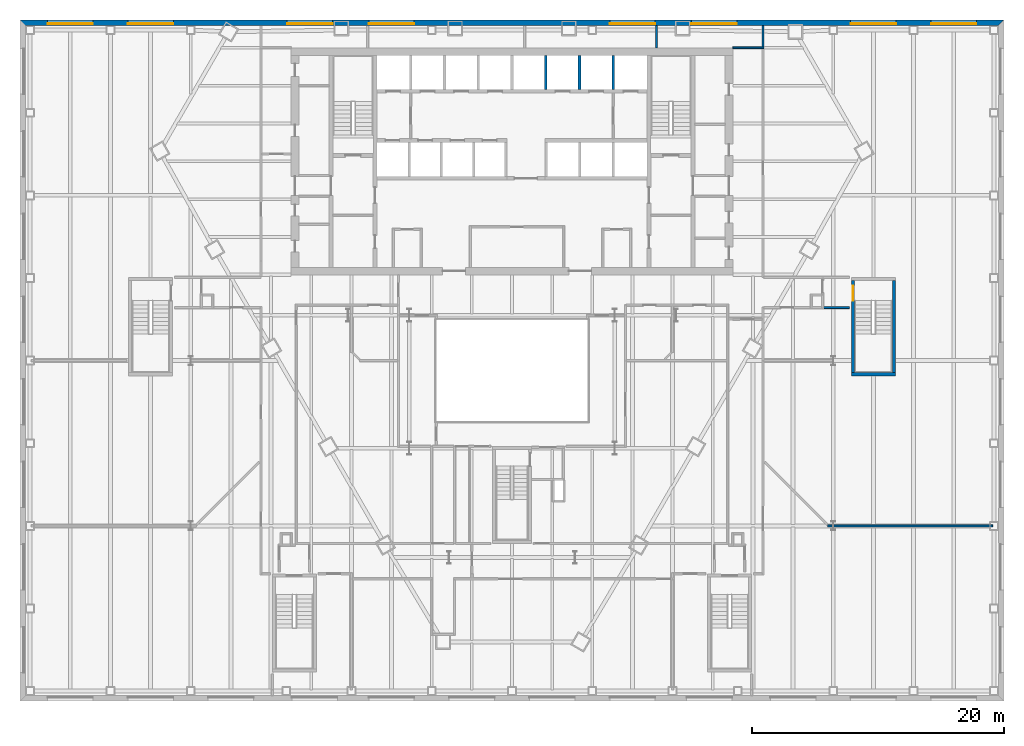
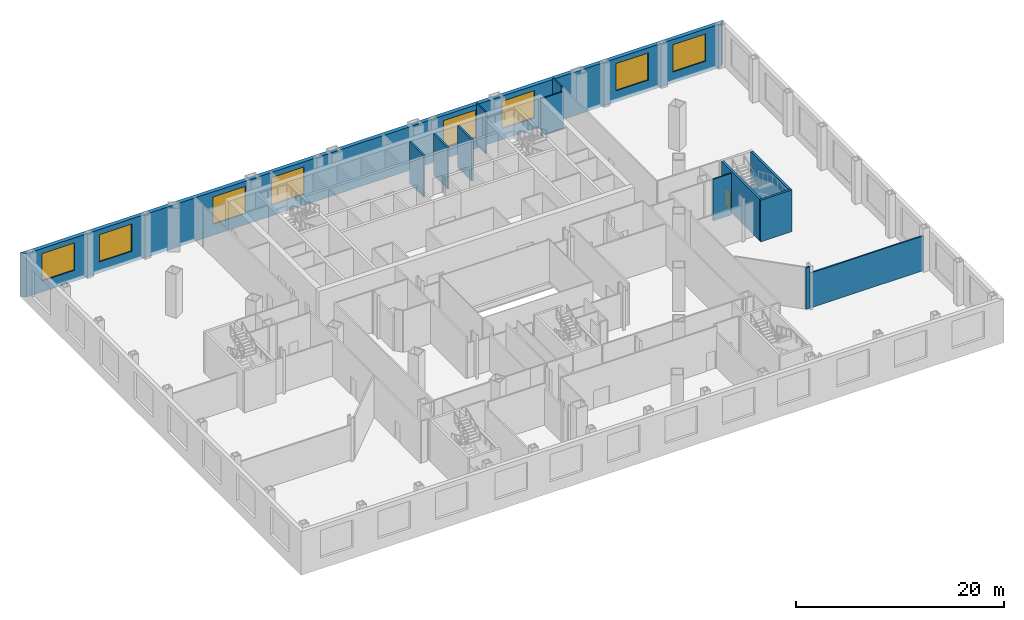
# One storey, part 14 of 21: 13 walls, 8 windows, 1 door, 9 openings.
"""IFC4 building model written with IfcOpenShell, lengths in metres."""

from ifc_helpers import new_model, si_unit, direction, frame, frame_2d, origin, place, context, subcontext, project, spatial, polyline, rectangle, outline, extrude, material, layer, layer_set, type_object, element, fill, save


model = new_model("IFC4")

# Units and contexts
model_context = context("Model", 3, precision=1e-05, world=origin(), true_north=direction((0.0, 1.0)))
body_context = subcontext(model_context, "Body", "Model", "MODEL_VIEW")
ifc_project = project(units=[si_unit("LENGTHUNIT", "METRE"), si_unit("AREAUNIT", "SQUARE_METRE"), si_unit("VOLUMEUNIT", "CUBIC_METRE"), si_unit("PLANEANGLEUNIT", "RADIAN"), si_unit("MASSUNIT", "GRAM", prefix="KILO")], contexts=[model_context])

# Site, building, storey
site_placement = place(None, origin())
site = spatial("IfcSite", under=ifc_project, at=site_placement, CompositionType="ELEMENT")
building_placement = place(site_placement, origin())
building = spatial("IfcBuilding", under=site, at=building_placement, Name="Njiva Tower", CompositionType="ELEMENT")
storey_placement = place(building_placement, frame((0.0, 0.0, 8.4)))
storey = spatial("IfcBuildingStorey", under=building, at=storey_placement, Name="L01", CompositionType="ELEMENT", Elevation=8.4)

# Walls
ifc_material_1 = material(Name="Gypsum board on steel studs", Category="gypsum")
ifc_layer_1 = layer(ifc_material_1, 0.15)
ifc_layer_set_1 = layer_set([ifc_layer_1], Name="Gypsum board on steel studs")
wall_type_1 = type_object("IfcWallType", Name="WT21 Compartment wall 150", PredefinedType="PARTITIONING", material=ifc_layer_set_1)
wall_1_placement = place(storey_placement, frame((24.7, -2.6, 0.0), z_axis=(0.0, 0.0, 1.0), x_axis=(1.0, 0.0, 0.0)))
element("IfcWall", 1, at=wall_1_placement, inside=storey, type_object=wall_type_1, Name="Partition L01-P096", PredefinedType="PARTITIONING", context=body_context, shape_type="SweptSolid", body=[
    extrude(rectangle(XDim=2.05, YDim=0.15, at=frame_2d((1.025, 0.0))), origin(), (0.0, 0.0, 1.0), 4.88),
])
wall_2_placement = place(storey_placement, frame((25.027, -19.9, 0.0), z_axis=(0.0, 0.0, 1.0), x_axis=(1.0, 0.0, 0.0)))
element("IfcWall", 2, at=wall_2_placement, inside=storey, type_object=wall_type_1, Name="Partition L01-P097", PredefinedType="PARTITIONING", context=body_context, shape_type="SweptSolid", body=[
    extrude(rectangle(XDim=0.44, YDim=0.15, at=frame_2d((0.22, 0.0))), origin(), (0.0, 0.0, 1.0), 4.88),
])
wall_3_placement = place(storey_placement, frame((25.467, -19.9, 0.0), z_axis=(0.0, 0.0, 1.0), x_axis=(0.999999996867, 7.9157761e-05, 0.0)))
element("IfcWall", 3, at=wall_3_placement, inside=storey, type_object=wall_type_1, Name="Partition L01-P097A", PredefinedType="PARTITIONING", context=body_context, shape_type="SweptSolid", body=[
    extrude(rectangle(XDim=12.633, YDim=0.15, at=frame_2d((6.3165, 0.0))), origin(), (0.0, 0.0, 1.0), 4.09),
])
ifc_layer_2 = layer(ifc_material_1, 0.15)
ifc_layer_set_2 = layer_set([ifc_layer_2], Name="Gypsum board on steel studs")
wall_type_2 = type_object("IfcWallType", Name="WT24 Riser room wall 150", PredefinedType="PARTITIONING", material=ifc_layer_set_2)
wall_4_placement = place(storey_placement, frame((11.45, 18.0, 0.0), z_axis=(0.0, 0.0, 1.0), x_axis=(0.0, 1.0, 0.0)))
element("IfcWall", 4, at=wall_4_placement, inside=storey, type_object=wall_type_2, Name="Partition L01-P064", PredefinedType="PARTITIONING", context=body_context, shape_type="SweptSolid", body=[
    extrude(rectangle(XDim=1.75, YDim=0.15, at=frame_2d((0.875, 0.0))), origin(), (0.0, 0.0, 1.0), 4.88),
])
wall_5_placement = place(storey_placement, frame((17.5, 18.0, 0.0), z_axis=(0.0, 0.0, 1.0), x_axis=(1.0, 0.0, 0.0)))
element("IfcWall", 5, at=wall_5_placement, inside=storey, type_object=wall_type_2, Name="Partition L01-P076", PredefinedType="PARTITIONING", context=body_context, shape_type="SweptSolid", body=[
    extrude(rectangle(XDim=2.475, YDim=0.15, at=frame_2d((1.2375, 0.0))), origin(), (0.0, 0.0, 1.0), 4.33),
])
wall_6_placement = place(storey_placement, frame((19.9, 18.075, 0.0), z_axis=(0.0, 0.0, 1.0), x_axis=(0.0, 1.0, 0.0)))
element("IfcWall", 6, at=wall_6_placement, inside=storey, type_object=wall_type_2, Name="Partition L01-P086", PredefinedType="PARTITIONING", context=body_context, shape_type="SweptSolid", body=[
    extrude(rectangle(XDim=1.675, YDim=0.15, at=frame_2d((0.8375, 0.0))), origin(), (0.0, 0.0, 1.0), 4.88),
])
ifc_material_2 = material(Name="Concrete C40/50", Category="concrete")
ifc_layer_3 = layer(ifc_material_2, 0.2)
ifc_layer_set_3 = layer_set([ifc_layer_3], Name="Concrete C40/50")
wall_type_3 = type_object("IfcWallType", Name="WT6 Lift shaft wall 200", PredefinedType="SHEAR", material=ifc_layer_set_3)
for number, where, z_axis, x_axis, name in (
    (7, (2.675, 14.7, 0.0), (0.0, 0.0, 1.0), (0.0, 1.0, 0.0), "Shaft wall CN5"),
    (8, (5.35, 14.7, 0.0), (0.0, 0.0, 1.0), (0.0, 1.0, 0.0), "Shaft wall CN6"),
    (9, (8.025, 14.7, 0.0), (0.0, 0.0, 1.0), (0.0, 1.0, 0.0), "Shaft wall CN7"),
):
    element("IfcWall", number, at=place(storey_placement, frame(where, z_axis=z_axis, x_axis=x_axis)), inside=storey, type_object=wall_type_3, Name=name, PredefinedType="SHEAR", context=body_context, shape_type="SweptSolid", body=[
        extrude(rectangle(XDim=2.7, YDim=0.2, at=frame_2d((1.35, 0.0))), origin(), (0.0, 0.0, 1.0), 4.88),
    ])

# Wall, opening, door
ifc_layer_4 = layer(ifc_material_2, 0.25)
ifc_layer_set_4 = layer_set([ifc_layer_4], Name="Concrete C40/50")
wall_type_4 = type_object("IfcWallType", Name="WT9 Stair enclosure wall 250", PredefinedType="SHEAR", material=ifc_layer_set_4)
wall_7_placement = place(storey_placement, frame((27.025, -7.75, 0.0), z_axis=(0.0, 0.0, 1.0), x_axis=(0.0, 1.0, 0.0)))
wall_7 = element("IfcWall", 10, at=wall_7_placement, inside=storey, type_object=wall_type_4, Name="Stair G wall west", PredefinedType="SHEAR", context=body_context, shape_type="SweptSolid", body=[
    extrude(rectangle(XDim=7.3, YDim=0.25, at=frame_2d((3.65, 0.0))), origin(), (0.0, 0.0, 1.0), 4.88),
])
opening_1_placement = place(wall_7_placement, frame((5.7, 0.0, 0.0)))
opening_1 = element("IfcOpeningElement", 11, at=opening_1_placement, cuts=wall_7, Name="Opening L01-D943", PredefinedType="OPENING", context=body_context, shape_type="SweptSolid", body=[
    extrude(rectangle(XDim=1.2, YDim=2.1, at=frame_2d((0.6, 1.05))), frame((0.0, 0.135, 0.0), z_axis=(0.0, -1.0, 0.0), x_axis=(1.0, 0.0, 0.0)), (0.0, 0.0, 1.0), 0.27),
])
ifc_material_3 = material(Name="Steel door, painted", Category="steel")
door_type = type_object("IfcDoorType", Name="D1 Stair door 1200x2100", OperationType="SINGLE_SWING_LEFT", PredefinedType="DOOR", material=ifc_material_3)
door_placement = place(opening_1_placement, origin())
door = element("IfcDoor", 12, at=door_placement, inside=storey, type_object=door_type, Name="Stair G door", OperationType="SINGLE_SWING_RIGHT", OverallHeight=2.1, OverallWidth=1.2, PredefinedType="DOOR", context=body_context, shape_type="SweptSolid", body=[
    extrude(rectangle(XDim=1.2, YDim=2.1, at=frame_2d((0.6, 1.05))), frame((0.0, 0.025, 0.0), z_axis=(0.0, -1.0, 0.0), x_axis=(1.0, 0.0, 0.0)), (0.0, 0.0, 1.0), 0.05),
])
fill(opening_1, door)

# Walls
wall_8_placement = place(storey_placement, frame((30.275, -7.75, 0.0), z_axis=(0.0, 0.0, 1.0), x_axis=(0.0, 1.0, 0.0)))
element("IfcWall", 13, at=wall_8_placement, inside=storey, type_object=wall_type_4, Name="Stair G wall east", PredefinedType="SHEAR", context=body_context, shape_type="SweptSolid", body=[
    extrude(rectangle(XDim=7.3, YDim=0.25, at=frame_2d((3.65, 0.0))), origin(), (0.0, 0.0, 1.0), 4.88),
])
wall_9_placement = place(storey_placement, frame((26.9, -7.875, 0.0), z_axis=(0.0, 0.0, 1.0), x_axis=(1.0, 0.0, 0.0)))
element("IfcWall", 14, at=wall_9_placement, inside=storey, type_object=wall_type_4, Name="Stair G wall south", PredefinedType="SHEAR", context=body_context, shape_type="SweptSolid", body=[
    extrude(rectangle(XDim=3.5, YDim=0.25, at=frame_2d((1.75, 0.0))), origin(), (0.0, 0.0, 1.0), 4.88),
])

# Wall, openings, windows
ifc_material_4 = material(Name="Brick masonry", Category="masonry")
ifc_layer_5 = layer(ifc_material_4, 0.45)
ifc_layer_set_5 = layer_set([ifc_layer_5], Name="Brick masonry")
wall_type_5 = type_object("IfcWallType", Name="WT90 Brick pier and spandrel wall 450", PredefinedType="SOLIDWALL", material=ifc_layer_set_5)
wall_10_placement = place(storey_placement, frame((38.775, 19.975, -0.4), z_axis=(0.0, 0.0, 1.0), x_axis=(-1.0, 0.0, 0.0)))
wall_10 = element("IfcWall", 15, at=wall_10_placement, inside=storey, type_object=wall_type_5, Name="Podium wall N", PredefinedType="SOLIDWALL", context=body_context, shape_type="SweptSolid", body=[
    extrude(outline(polyline([(-0.225, -0.225), (77.775, -0.225), (77.325, 0.225), (0.225, 0.225), (-0.225, -0.225)])), origin(), (0.0, 0.0, 1.0), 5.1),
])
opening_2_placement = place(wall_10_placement, frame((1.9584, 0.0, 1.3)))
opening_2 = element("IfcOpeningElement", 16, at=opening_2_placement, cuts=wall_10, Name="Opening L01-W09", PredefinedType="OPENING", context=body_context, shape_type="SweptSolid", body=[
    extrude(rectangle(XDim=3.6, YDim=3.2, at=frame_2d((1.8, 1.6))), frame((0.0, 0.235, 0.0), z_axis=(0.0, -1.0, 0.0), x_axis=(1.0, 0.0, 0.0)), (0.0, 0.0, 1.0), 0.47),
])
opening_3_placement = place(wall_10_placement, frame((8.325, 0.0, 1.3)))
opening_3 = element("IfcOpeningElement", 17, at=opening_3_placement, cuts=wall_10, Name="Opening L01-W10", PredefinedType="OPENING", context=body_context, shape_type="SweptSolid", body=[
    extrude(rectangle(XDim=3.6, YDim=3.2, at=frame_2d((1.8, 1.6))), frame((0.0, 0.235, 0.0), z_axis=(0.0, -1.0, 0.0), x_axis=(1.0, 0.0, 0.0)), (0.0, 0.0, 1.0), 0.47),
])
opening_4_placement = place(wall_10_placement, frame((20.952, 0.0, 1.3)))
opening_4 = element("IfcOpeningElement", 18, at=opening_4_placement, cuts=wall_10, Name="Opening L01-W11", PredefinedType="OPENING", context=body_context, shape_type="SweptSolid", body=[
    extrude(rectangle(XDim=3.6, YDim=3.2, at=frame_2d((1.8, 1.6))), frame((0.0, 0.235, 0.0), z_axis=(0.0, -1.0, 0.0), x_axis=(1.0, 0.0, 0.0)), (0.0, 0.0, 1.0), 0.47),
])
opening_5_placement = place(wall_10_placement, frame((27.425, 0.0, 1.3)))
opening_5 = element("IfcOpeningElement", 19, at=opening_5_placement, cuts=wall_10, Name="Opening L01-W12", PredefinedType="OPENING", context=body_context, shape_type="SweptSolid", body=[
    extrude(rectangle(XDim=3.6, YDim=3.2, at=frame_2d((1.8, 1.6))), frame((0.0, 0.235, 0.0), z_axis=(0.0, -1.0, 0.0), x_axis=(1.0, 0.0, 0.0)), (0.0, 0.0, 1.0), 0.47),
])
opening_6_placement = place(wall_10_placement, frame((46.525, 0.0, 1.3)))
opening_6 = element("IfcOpeningElement", 20, at=opening_6_placement, cuts=wall_10, Name="Opening L01-W13", PredefinedType="OPENING", context=body_context, shape_type="SweptSolid", body=[
    extrude(rectangle(XDim=3.6, YDim=3.2, at=frame_2d((1.8, 1.6))), frame((0.0, 0.235, 0.0), z_axis=(0.0, -1.0, 0.0), x_axis=(1.0, 0.0, 0.0)), (0.0, 0.0, 1.0), 0.47),
])
opening_7_placement = place(wall_10_placement, frame((52.998, 0.0, 1.3)))
opening_7 = element("IfcOpeningElement", 21, at=opening_7_placement, cuts=wall_10, Name="Opening L01-W14", PredefinedType="OPENING", context=body_context, shape_type="SweptSolid", body=[
    extrude(rectangle(XDim=3.6, YDim=3.2, at=frame_2d((1.8, 1.6))), frame((0.0, 0.235, 0.0), z_axis=(0.0, -1.0, 0.0), x_axis=(1.0, 0.0, 0.0)), (0.0, 0.0, 1.0), 0.47),
])
opening_8_placement = place(wall_10_placement, frame((65.625, 0.0, 1.3)))
opening_8 = element("IfcOpeningElement", 22, at=opening_8_placement, cuts=wall_10, Name="Opening L01-W15", PredefinedType="OPENING", context=body_context, shape_type="SweptSolid", body=[
    extrude(rectangle(XDim=3.6, YDim=3.2, at=frame_2d((1.8, 1.6))), frame((0.0, 0.235, 0.0), z_axis=(0.0, -1.0, 0.0), x_axis=(1.0, 0.0, 0.0)), (0.0, 0.0, 1.0), 0.47),
])
opening_9_placement = place(wall_10_placement, frame((71.9917, 0.0, 1.3)))
opening_9 = element("IfcOpeningElement", 23, at=opening_9_placement, cuts=wall_10, Name="Opening L01-W16", PredefinedType="OPENING", context=body_context, shape_type="SweptSolid", body=[
    extrude(rectangle(XDim=3.6, YDim=3.2, at=frame_2d((1.8, 1.6))), frame((0.0, 0.235, 0.0), z_axis=(0.0, -1.0, 0.0), x_axis=(1.0, 0.0, 0.0)), (0.0, 0.0, 1.0), 0.47),
])
ifc_material_5 = material(Name="Clear glazing in aluminium frame", Category="aluminium")
window_type = type_object("IfcWindowType", Name="W98 Deep-set window 3600x3200", PartitioningType="SINGLE_PANEL", PredefinedType="WINDOW", material=ifc_material_5)
window_1_placement = place(opening_2_placement, origin())
window_1 = element("IfcWindow", 24, at=window_1_placement, inside=storey, type_object=window_type, Name="Window", OverallHeight=3.2, OverallWidth=3.6, PartitioningType="SINGLE_PANEL", PredefinedType="WINDOW", context=body_context, shape_type="SweptSolid", body=[
    extrude(rectangle(XDim=3.6, YDim=3.2, at=frame_2d((1.8, 1.6))), frame((0.0, 0.105, 0.0), z_axis=(0.0, -1.0, 0.0), x_axis=(1.0, 0.0, 0.0)), (0.0, 0.0, 1.0), 0.06),
])
fill(opening_2, window_1)
window_2_placement = place(opening_3_placement, origin())
window_2 = element("IfcWindow", 25, at=window_2_placement, inside=storey, type_object=window_type, Name="Window", OverallHeight=3.2, OverallWidth=3.6, PartitioningType="SINGLE_PANEL", PredefinedType="WINDOW", context=body_context, shape_type="SweptSolid", body=[
    extrude(rectangle(XDim=3.6, YDim=3.2, at=frame_2d((1.8, 1.6))), frame((0.0, 0.105, 0.0), z_axis=(0.0, -1.0, 0.0), x_axis=(1.0, 0.0, 0.0)), (0.0, 0.0, 1.0), 0.06),
])
fill(opening_3, window_2)
window_3_placement = place(opening_4_placement, origin())
window_3 = element("IfcWindow", 26, at=window_3_placement, inside=storey, type_object=window_type, Name="Window", OverallHeight=3.2, OverallWidth=3.6, PartitioningType="SINGLE_PANEL", PredefinedType="WINDOW", context=body_context, shape_type="SweptSolid", body=[
    extrude(rectangle(XDim=3.6, YDim=3.2, at=frame_2d((1.8, 1.6))), frame((0.0, 0.105, 0.0), z_axis=(0.0, -1.0, 0.0), x_axis=(1.0, 0.0, 0.0)), (0.0, 0.0, 1.0), 0.06),
])
fill(opening_4, window_3)
window_4_placement = place(opening_5_placement, origin())
window_4 = element("IfcWindow", 27, at=window_4_placement, inside=storey, type_object=window_type, Name="Window", OverallHeight=3.2, OverallWidth=3.6, PartitioningType="SINGLE_PANEL", PredefinedType="WINDOW", context=body_context, shape_type="SweptSolid", body=[
    extrude(rectangle(XDim=3.6, YDim=3.2, at=frame_2d((1.8, 1.6))), frame((0.0, 0.105, 0.0), z_axis=(0.0, -1.0, 0.0), x_axis=(1.0, 0.0, 0.0)), (0.0, 0.0, 1.0), 0.06),
])
fill(opening_5, window_4)
window_5_placement = place(opening_6_placement, origin())
window_5 = element("IfcWindow", 28, at=window_5_placement, inside=storey, type_object=window_type, Name="Window", OverallHeight=3.2, OverallWidth=3.6, PartitioningType="SINGLE_PANEL", PredefinedType="WINDOW", context=body_context, shape_type="SweptSolid", body=[
    extrude(rectangle(XDim=3.6, YDim=3.2, at=frame_2d((1.8, 1.6))), frame((0.0, 0.105, 0.0), z_axis=(0.0, -1.0, 0.0), x_axis=(1.0, 0.0, 0.0)), (0.0, 0.0, 1.0), 0.06),
])
fill(opening_6, window_5)
window_6_placement = place(opening_7_placement, origin())
window_6 = element("IfcWindow", 29, at=window_6_placement, inside=storey, type_object=window_type, Name="Window", OverallHeight=3.2, OverallWidth=3.6, PartitioningType="SINGLE_PANEL", PredefinedType="WINDOW", context=body_context, shape_type="SweptSolid", body=[
    extrude(rectangle(XDim=3.6, YDim=3.2, at=frame_2d((1.8, 1.6))), frame((0.0, 0.105, 0.0), z_axis=(0.0, -1.0, 0.0), x_axis=(1.0, 0.0, 0.0)), (0.0, 0.0, 1.0), 0.06),
])
fill(opening_7, window_6)
window_7_placement = place(opening_8_placement, origin())
window_7 = element("IfcWindow", 30, at=window_7_placement, inside=storey, type_object=window_type, Name="Window", OverallHeight=3.2, OverallWidth=3.6, PartitioningType="SINGLE_PANEL", PredefinedType="WINDOW", context=body_context, shape_type="SweptSolid", body=[
    extrude(rectangle(XDim=3.6, YDim=3.2, at=frame_2d((1.8, 1.6))), frame((0.0, 0.105, 0.0), z_axis=(0.0, -1.0, 0.0), x_axis=(1.0, 0.0, 0.0)), (0.0, 0.0, 1.0), 0.06),
])
fill(opening_8, window_7)
window_8_placement = place(opening_9_placement, origin())
window_8 = element("IfcWindow", 31, at=window_8_placement, inside=storey, type_object=window_type, Name="Window", OverallHeight=3.2, OverallWidth=3.6, PartitioningType="SINGLE_PANEL", PredefinedType="WINDOW", context=body_context, shape_type="SweptSolid", body=[
    extrude(rectangle(XDim=3.6, YDim=3.2, at=frame_2d((1.8, 1.6))), frame((0.0, 0.105, 0.0), z_axis=(0.0, -1.0, 0.0), x_axis=(1.0, 0.0, 0.0)), (0.0, 0.0, 1.0), 0.06),
])
fill(opening_9, window_8)

save(model, "model.ifc")
